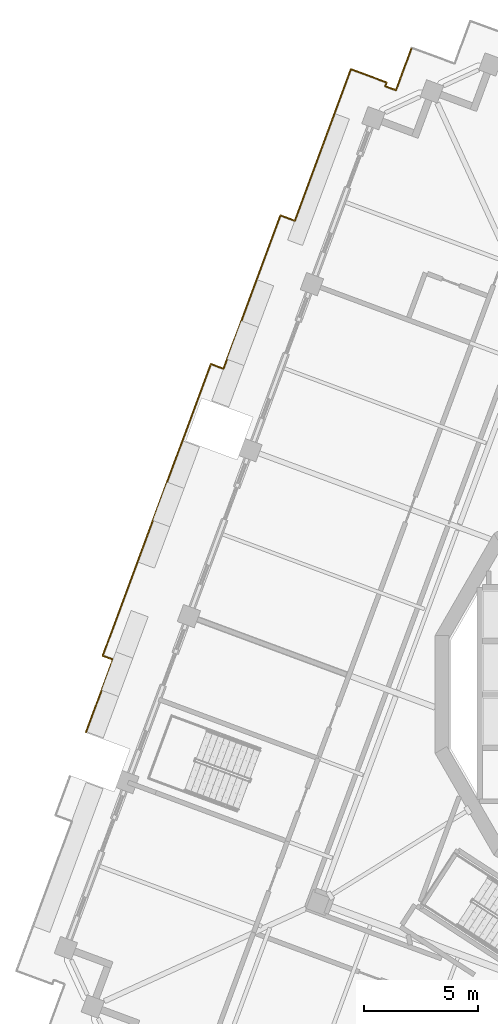
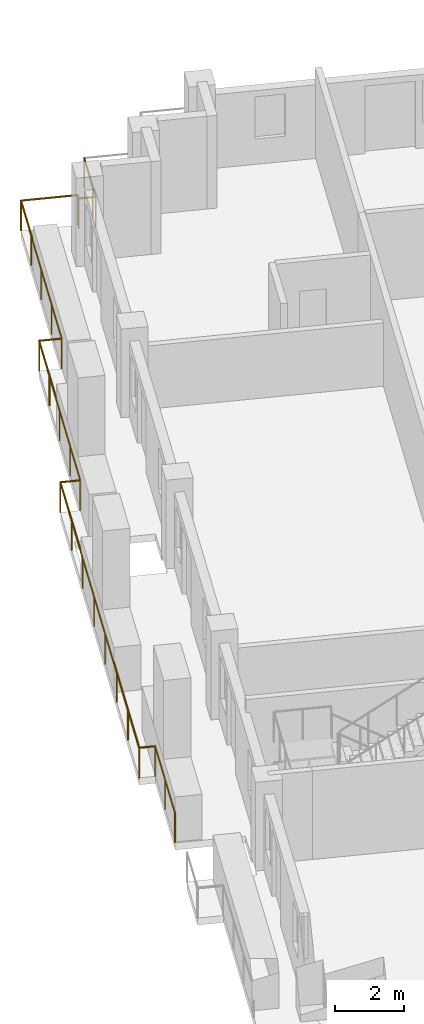
# One storey, part 15 of 19: 1 railing.
"""IFC4 building model written with IfcOpenShell, lengths in metres."""

from ifc_helpers import new_model, si_unit, direction, frame, origin, origin_2d, place, context, subcontext, project, spatial, circle, extrude, material, type_object, element, save


model = new_model("IFC4")

# Units and contexts
model_context = context("Model", 3, precision=1e-05, world=origin(), true_north=direction((0.0, 1.0)))
body_context = subcontext(model_context, "Body", "Model", "MODEL_VIEW")
ifc_project = project(units=[si_unit("LENGTHUNIT", "METRE"), si_unit("AREAUNIT", "SQUARE_METRE"), si_unit("VOLUMEUNIT", "CUBIC_METRE"), si_unit("PLANEANGLEUNIT", "RADIAN"), si_unit("MASSUNIT", "GRAM", prefix="KILO")], contexts=[model_context])

# Site, building, storey
site_placement = place(None, origin())
site = spatial("IfcSite", under=ifc_project, at=site_placement, CompositionType="ELEMENT")
building_placement = place(site_placement, origin())
building = spatial("IfcBuilding", under=site, at=building_placement, Name="Cantera Rosa Tower", CompositionType="ELEMENT")
storey_placement = place(building_placement, frame((0.0, 0.0, 342.10009765625)))
storey = spatial("IfcBuildingStorey", under=building, at=storey_placement, Name="L77", CompositionType="ELEMENT", Elevation=342.10009765625)

# Railing
ifc_material = material(Name="Stainless steel and laminated glass", Category="steel")
railing_type = type_object("IfcRailingType", Name="GUARD 1100", PredefinedType="BALUSTRADE", material=ifc_material)
railing_placement = place(storey_placement, frame((-25.001953125, -1.655517578125, 0.0)))
element("IfcRailing", 1, at=railing_placement, inside=storey, type_object=railing_type, Name="GUARD L77-6", PredefinedType="BALUSTRADE", context=body_context, shape_type="SweptSolid", body=[
    extrude(circle(Radius=0.030029296875, at=origin_2d()), frame((0.0, 0.0, 1.070068359375), z_axis=(0.347480264473, 0.937687296385, 0.0), x_axis=(-0.937687296385, 0.347480264473, 0.0)), (0.0, 0.0, 1.0), 3.402587890625),
    extrude(circle(Radius=0.030029296875, at=origin_2d()), frame((1.182373046875, 3.190673828125, 1.070068359375), z_axis=(-0.937767212955, 0.347264530735, 0.0), x_axis=(-0.347264530735, -0.937767212955, 0.0)), (0.0, 0.0, 1.0), 0.478759765625),
    extrude(circle(Radius=0.030029296875, at=origin_2d()), frame((0.7333984375, 3.35693359375, 1.070068359375), z_axis=(0.34749344078, 0.937682413515, 0.0), x_axis=(-0.937682413515, 0.34749344078, 0.0)), (0.0, 0.0, 1.0), 13.675048828125),
    extrude(circle(Radius=0.030029296875, at=origin_2d()), frame((5.4853515625, 16.1796875, 1.070068359375), z_axis=(0.937669639538, -0.34752790836, 0.0), x_axis=(0.34752790836, 0.937669639538, 0.0)), (0.0, 0.0, 1.0), 0.595703125),
    extrude(circle(Radius=0.030029296875, at=origin_2d()), frame((6.0439453125, 15.97265625, 1.070068359375), z_axis=(0.347485909528, 0.937685204469, 0.0), x_axis=(-0.937685204469, 0.347485909528, 0.0)), (0.0, 0.0, 1.0), 7.18408203125),
    extrude(circle(Radius=0.030029296875, at=origin_2d()), frame((8.540283203125, 22.708984375, 1.070068359375), z_axis=(0.937718232789, -0.347396770127, 0.0), x_axis=(0.347396770127, 0.937718232789, 0.0)), (0.0, 0.0, 1.0), 0.67529296875),
    extrude(circle(Radius=0.030029296875, at=origin_2d()), frame((9.173583984375, 22.474365234375, 1.070068359375), z_axis=(0.347486707816, 0.93768490864, 0.0), x_axis=(-0.93768490864, 0.347486707816, 0.0)), (0.0, 0.0, 1.0), 7.1044921875),
    extrude(circle(Radius=0.030029296875, at=origin_2d()), frame((11.642333984375, 29.13623046875, 1.070068359375), z_axis=(0.937722403204, -0.347385512837, 0.0), x_axis=(0.347385512837, 0.937722403204, 0.0)), (0.0, 0.0, 1.0), 1.67626953125),
    extrude(circle(Radius=0.030029296875, at=origin_2d()), frame((13.214111328125, 28.553955078125, 1.070068359375), z_axis=(-0.347630091628, -0.937631761085, 0.0), x_axis=(0.937631761085, -0.347630091628, 0.0)), (0.0, 0.0, 1.0), 0.17626953125),
    extrude(circle(Radius=0.030029296875, at=origin_2d()), frame((13.15283203125, 28.388671875, 1.070068359375), z_axis=(0.937666302575, -0.34753691173, 0.0), x_axis=(0.34753691173, 0.937666302575, 0.0)), (0.0, 0.0, 1.0), 0.500244140625),
    extrude(circle(Radius=0.030029296875, at=origin_2d()), frame((13.621826171875, 28.21484375, 1.070068359375), z_axis=(0.347107644204, 0.937825294677, 0.0), x_axis=(-0.937825294677, 0.347107644204, 0.0)), (0.0, 0.0, 1.0), 0.5),
    extrude(circle(Radius=0.030029296875, at=origin_2d()), frame((13.79541015625, 28.683837890625, 1.070068359375), z_axis=(0.347499887537, 0.937680024402, 0.0), x_axis=(-0.937680024402, 0.347499887537, 0.0)), (0.0, 0.0, 1.0), 1.5),
    extrude(circle(Radius=0.02490234375, at=origin_2d()), origin(), (0.0, 0.0, 1.0), 1.0400390625),
    extrude(circle(Radius=0.02490234375, at=origin_2d()), frame((0.59130859375, 1.59521484375, 0.0)), (0.0, 0.0, 1.0), 1.0400390625),
    extrude(circle(Radius=0.02490234375, at=origin_2d()), frame((1.182373046875, 3.190673828125, 0.0)), (0.0, 0.0, 1.0), 1.0400390625),
    extrude(circle(Radius=0.02490234375, at=origin_2d()), frame((0.7333984375, 3.35693359375, 0.0)), (0.0, 0.0, 1.0), 1.0400390625),
    extrude(circle(Radius=0.02490234375, at=origin_2d()), frame((1.412353515625, 5.188720703125, 0.0)), (0.0, 0.0, 1.0), 1.0400390625),
    extrude(circle(Radius=0.02490234375, at=origin_2d()), frame((2.091064453125, 7.0205078125, 0.0)), (0.0, 0.0, 1.0), 1.0400390625),
    extrude(circle(Radius=0.02490234375, at=origin_2d()), frame((2.77001953125, 8.852294921875, 0.0)), (0.0, 0.0, 1.0), 1.0400390625),
    extrude(circle(Radius=0.02490234375, at=origin_2d()), frame((3.44873046875, 10.684326171875, 0.0)), (0.0, 0.0, 1.0), 1.0400390625),
    extrude(circle(Radius=0.02490234375, at=origin_2d()), frame((4.127685546875, 12.51611328125, 0.0)), (0.0, 0.0, 1.0), 1.0400390625),
    extrude(circle(Radius=0.02490234375, at=origin_2d()), frame((4.806396484375, 14.347900390625, 0.0)), (0.0, 0.0, 1.0), 1.0400390625),
    extrude(circle(Radius=0.02490234375, at=origin_2d()), frame((5.4853515625, 16.1796875, 0.0)), (0.0, 0.0, 1.0), 1.0400390625),
    extrude(circle(Radius=0.02490234375, at=origin_2d()), frame((6.0439453125, 15.97265625, 0.0)), (0.0, 0.0, 1.0), 1.0400390625),
    extrude(circle(Radius=0.02490234375, at=origin_2d()), frame((6.66796875, 17.65673828125, 0.0)), (0.0, 0.0, 1.0), 1.0400390625),
    extrude(circle(Radius=0.02490234375, at=origin_2d()), frame((7.2919921875, 19.3408203125, 0.0)), (0.0, 0.0, 1.0), 1.0400390625),
    extrude(circle(Radius=0.02490234375, at=origin_2d()), frame((7.916259765625, 21.02490234375, 0.0)), (0.0, 0.0, 1.0), 1.0400390625),
    extrude(circle(Radius=0.02490234375, at=origin_2d()), frame((8.540283203125, 22.708984375, 0.0)), (0.0, 0.0, 1.0), 1.0400390625),
    extrude(circle(Radius=0.02490234375, at=origin_2d()), frame((9.173583984375, 22.474365234375, 0.0)), (0.0, 0.0, 1.0), 1.0400390625),
    extrude(circle(Radius=0.02490234375, at=origin_2d()), frame((9.790771484375, 24.139892578125, 0.0)), (0.0, 0.0, 1.0), 1.0400390625),
    extrude(circle(Radius=0.02490234375, at=origin_2d()), frame((10.407958984375, 25.80517578125, 0.0)), (0.0, 0.0, 1.0), 1.0400390625),
    extrude(circle(Radius=0.02490234375, at=origin_2d()), frame((11.025146484375, 27.470703125, 0.0)), (0.0, 0.0, 1.0), 1.0400390625),
    extrude(circle(Radius=0.02490234375, at=origin_2d()), frame((11.642333984375, 29.13623046875, 0.0)), (0.0, 0.0, 1.0), 1.0400390625),
    extrude(circle(Radius=0.02490234375, at=origin_2d()), frame((13.214111328125, 28.553955078125, 0.0)), (0.0, 0.0, 1.0), 1.0400390625),
    extrude(circle(Radius=0.02490234375, at=origin_2d()), frame((13.15283203125, 28.388671875, 0.0)), (0.0, 0.0, 1.0), 1.0400390625),
    extrude(circle(Radius=0.02490234375, at=origin_2d()), frame((13.621826171875, 28.21484375, 0.0)), (0.0, 0.0, 1.0), 1.0400390625),
    extrude(circle(Radius=0.02490234375, at=origin_2d()), frame((13.79541015625, 28.683837890625, 0.0)), (0.0, 0.0, 1.0), 1.0400390625),
    extrude(circle(Radius=0.02490234375, at=origin_2d()), frame((14.316650390625, 30.09033203125, 0.0)), (0.0, 0.0, 1.0), 1.0400390625),
])

save(model, "model.ifc")
